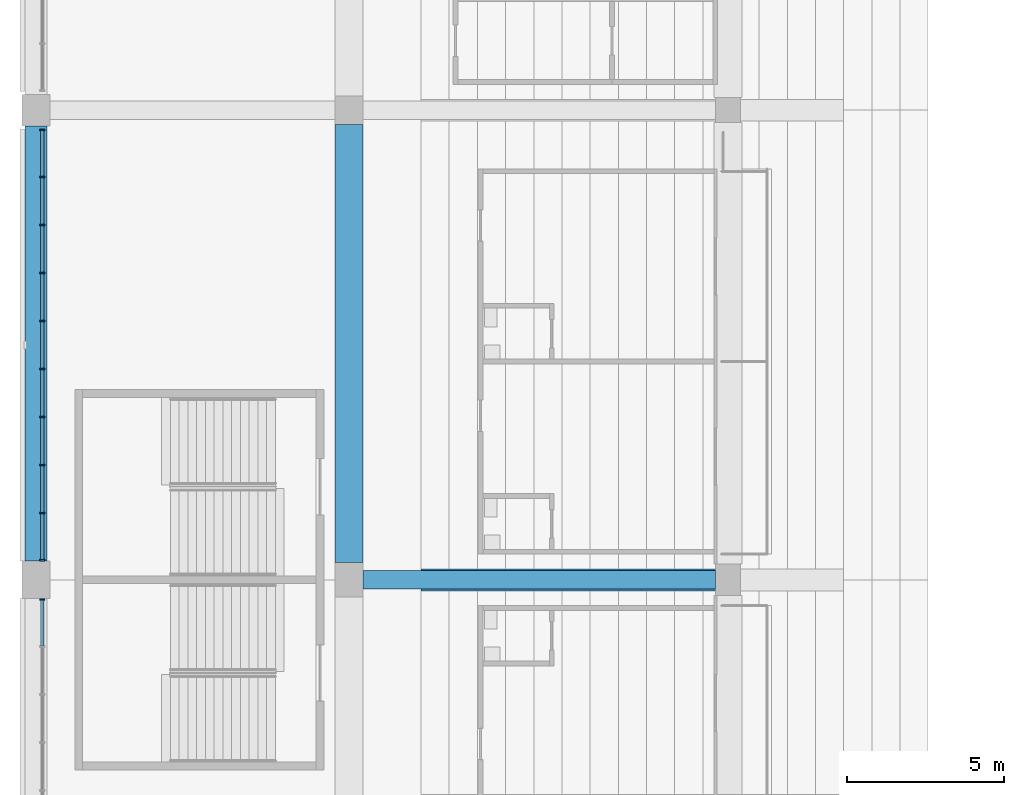
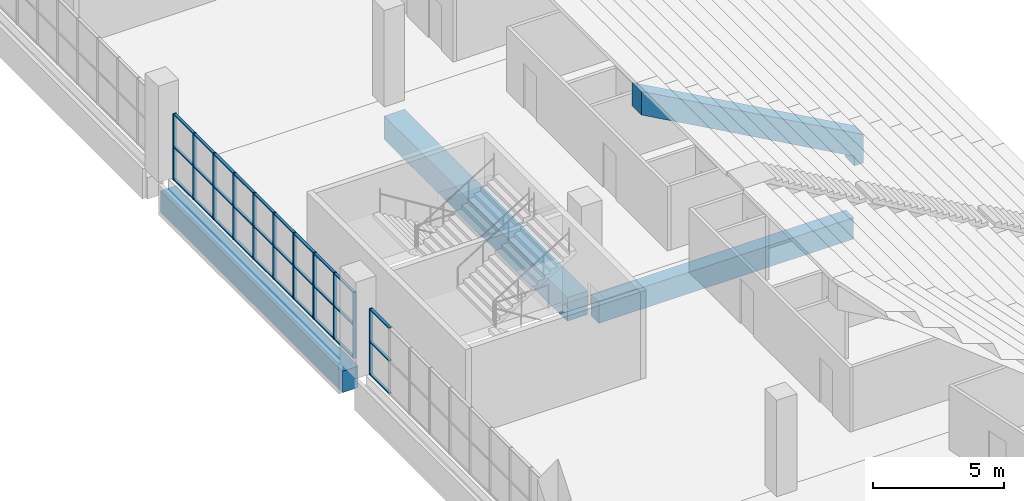
# One storey, part 18 of 249: 41 members, 4 beams, 2 elements without a shape of their own.
"""IFC4 building model written with IfcOpenShell, lengths in metres."""

import ifcopenshell
import ifcopenshell.guid

model = None  # the IFC model being written
_history = None  # IfcOwnerHistory: only IFC2X3 demands one
_inside = {}  # id of a spatial element -> (the spatial element, [elements in it])
_under = {}  # id of a project, library or spatial element -> (it, [spatial elements below it])
_declared = {}  # id of a project -> (the project, [libraries it declares])
_typed = {}  # id of a type object -> (the type object, [elements of that type])
_made_of = {}  # id of a material, layer set ... -> (it, [elements and type objects made of it])


def new_model(schema):
    """Start an empty IFC model of exactly this schema.

    Asked for "IFC4X3", IfcOpenShell would pick the latest addendum, in which some entities
    have other attributes; the version numbers below select the first issue.
    IFC2X3 requires an IfcOwnerHistory on every rooted entity: one is made here for all.
    """
    global model, _history
    if schema == "IFC4X3":
        model = ifcopenshell.file(schema_version=(4, 3, 0, 0))
    else:
        model = ifcopenshell.file(schema=schema)
    _inside.clear()
    _under.clear()
    _declared.clear()
    _typed.clear()
    _made_of.clear()
    _history = None
    if model.schema == "IFC2X3":
        org = make("IfcOrganization", Name="unknown")
        user = make(
            "IfcPersonAndOrganization",
            ThePerson=make("IfcPerson", FamilyName="unknown"),
            TheOrganization=org,
        )
        app = make(
            "IfcApplication",
            ApplicationDeveloper=org,
            Version="unknown",
            ApplicationFullName="unknown",
            ApplicationIdentifier="unknown",
        )
        _history = make(
            "IfcOwnerHistory",
            OwningUser=user,
            OwningApplication=app,
            ChangeAction="ADDED",
            CreationDate=0,
        )
    return model


def make(cls, **values):
    """One entity of the class cls with the attributes given. An attribute that is None is left unset."""
    return model.create_entity(
        cls, **{name: value for name, value in values.items() if value is not None}
    )


def rooted(cls, **values):
    """An entity with a GlobalId (a new one), such as an element, a storey or a relation."""
    return make(cls, GlobalId=ifcopenshell.guid.new(), OwnerHistory=_history, **values)


def si_unit(unit_type, name, prefix=None):
    """IfcSIUnit, for example si_unit("LENGTHUNIT", "METRE", prefix="MILLI")."""
    return make("IfcSIUnit", UnitType=unit_type, Prefix=prefix, Name=name)


def assignment(units):
    """IfcUnitAssignment: the units of a project."""
    return None if units is None else make("IfcUnitAssignment", Units=units)


def point(xyz):
    """IfcCartesianPoint."""
    return None if xyz is None else make("IfcCartesianPoint", Coordinates=xyz)


def direction(xyz):
    """IfcDirection."""
    return None if xyz is None else make("IfcDirection", DirectionRatios=xyz)


def frame(location, z_axis=None, x_axis=None):
    """IfcAxis2Placement3D, a coordinate frame: its origin and axes. An axis left out is left unset."""
    return make(
        "IfcAxis2Placement3D",
        Location=point(location),
        Axis=direction(z_axis),
        RefDirection=direction(x_axis),
    )


def frame_2d(location, x_axis=None):
    """IfcAxis2Placement2D, a coordinate frame in the plane: its origin and x axis."""
    return make(
        "IfcAxis2Placement2D", Location=point(location), RefDirection=direction(x_axis)
    )


def origin():
    """The frame at (0, 0, 0) with its axes left unset."""
    return frame((0.0, 0.0, 0.0))


def origin_2d():
    """The frame at (0, 0) in the plane with its x axis left unset."""
    return frame_2d((0.0, 0.0))


def place(relative_to, where):
    """IfcLocalPlacement: puts the frame where relative to a parent placement (None: the world)."""
    return make(
        "IfcLocalPlacement", PlacementRelTo=relative_to, RelativePlacement=where
    )


def context(
    kind, dimensions, precision=None, world=None, true_north=None, identifier=None
):
    """IfcGeometricRepresentationContext, for example the 3D "Model" context."""
    return make(
        "IfcGeometricRepresentationContext",
        ContextIdentifier=identifier,
        ContextType=kind,
        CoordinateSpaceDimension=dimensions,
        Precision=precision,
        WorldCoordinateSystem=world,
        TrueNorth=true_north,
    )


def subcontext(parent, identifier, kind, view, scale=None):
    """IfcGeometricRepresentationSubContext, for example "Body" below "Model"."""
    return make(
        "IfcGeometricRepresentationSubContext",
        ContextIdentifier=identifier,
        ContextType=kind,
        ParentContext=parent,
        TargetScale=scale,
        TargetView=view,
    )


def project(units=None, contexts=None):
    """IfcProject with its units and contexts."""
    return rooted(
        "IfcProject",
        Name="project",
        RepresentationContexts=contexts,
        UnitsInContext=assignment(units),
    )


def spatial(cls, under=None, at=None, **own):
    """A site, building, storey or space (cls), placed at a placement, below another one or the project."""
    s = rooted(cls, ObjectPlacement=at, **own)
    if under is not None:
        _under.setdefault(under.id(), (under, []))[1].append(s)
    return s


def polyline(points):
    """IfcPolyline through the points."""
    return make("IfcPolyline", Points=[point(p) for p in points])


def profile(cls, at=None, kind="AREA", **sizes):
    """A parametric profile (cls). Its sizes go by their IFC names, for example OverallWidth=200.0."""
    return make(cls, ProfileType=kind, Position=at, **sizes)


def rectangle(**sizes):
    """IfcRectangleProfileDef."""
    return profile("IfcRectangleProfileDef", **sizes)


def outline(outer, holes=None, kind="AREA"):
    """IfcArbitraryClosedProfileDef: a profile drawn as a closed curve; with holes, ...WithVoids."""
    if holes is None:
        return make("IfcArbitraryClosedProfileDef", ProfileType=kind, OuterCurve=outer)
    return make(
        "IfcArbitraryProfileDefWithVoids",
        ProfileType=kind,
        OuterCurve=outer,
        InnerCurves=holes,
    )


def extrude(swept, where, along, depth):
    """IfcExtrudedAreaSolid: the profile swept, set in the frame where, extruded along a direction by depth."""
    return make(
        "IfcExtrudedAreaSolid",
        SweptArea=swept,
        Position=where,
        ExtrudedDirection=direction(along),
        Depth=depth,
    )


def shape(context_of_items, identifier, shape_type, items):
    """IfcShapeRepresentation: the items that make up one representation, for example the "Body"."""
    return make(
        "IfcShapeRepresentation",
        ContextOfItems=context_of_items,
        RepresentationIdentifier=identifier,
        RepresentationType=shape_type,
        Items=items,
    )


def material(Name=None, Category=None):
    """IfcMaterial."""
    return make("IfcMaterial", Name=Name, Category=Category)


def material_profile(
    of_material, cross_section, Name=None, Category=None, Priority=None
):
    """IfcMaterialProfile: a cross section and its material."""
    return make(
        "IfcMaterialProfile",
        Name=Name,
        Material=of_material,
        Profile=cross_section,
        Priority=Priority,
        Category=Category,
    )


def profile_set(profiles, Name=None, composite=None):
    """IfcMaterialProfileSet."""
    return make(
        "IfcMaterialProfileSet",
        Name=Name,
        MaterialProfiles=profiles,
        CompositeProfile=composite,
    )


def made_of(thing, what):
    """Note that an element or type object is made of a material, layer set ...; save() writes the relation."""
    if what is not None:
        _made_of.setdefault(what.id(), (what, []))[1].append(thing)
    return thing


def type_object(cls, material=None, **own):
    """A type object (cls), such as IfcWallType, which elements share."""
    return made_of(rooted(cls, **own), material)


def element(
    cls,
    number,
    at=None,
    inside=None,
    cuts=None,
    type_object=None,
    material=None,
    context=None,
    identifier="Body",
    shape_type=None,
    held_by="IfcProductDefinitionShape",
    body=None,
    shapes=None,
    **own,
):
    """One element of the class cls, such as IfcWall. Its Tag is "e" and its number.

    at: its placement. inside: the storey or other place that contains it. cuts: it is an
    opening in that element (IfcRelVoidsElement). A single representation is given by context,
    identifier, shape_type and body (its items); several are given by shapes. held_by: the class
    of the entity that holds the representations. save() writes the other relations.
    """
    e = rooted(cls, Tag="e%d" % number, ObjectPlacement=at, **own)
    if body is not None:
        shapes = [shape(context, identifier, shape_type, body)]
    if shapes is not None:
        e.Representation = make(held_by, Representations=shapes)
    if inside is not None:
        _inside.setdefault(inside.id(), (inside, []))[1].append(e)
    if cuts is not None:
        rooted(
            "IfcRelVoidsElement", RelatingBuildingElement=cuts, RelatedOpeningElement=e
        )
    if type_object is not None:
        _typed.setdefault(type_object.id(), (type_object, []))[1].append(e)
    return made_of(e, material)


def aggregate(whole, parts):
    """IfcRelAggregates: a whole, such as a stair, and the parts it consists of."""
    return rooted("IfcRelAggregates", RelatingObject=whole, RelatedObjects=parts)


def save(model, path):
    """Write the relations noted so far, then the file.

    IfcRelAggregates (storeys below a building ...), IfcRelContainedInSpatialStructure (elements
    in a storey), IfcRelDefinesByType, IfcRelAssociatesMaterial and IfcRelDeclares: one each for
    every whole, place, type object, material and project.
    """
    for whole, parts in _under.values():
        aggregate(whole, parts)
    for where, things in _inside.values():
        rooted(
            "IfcRelContainedInSpatialStructure",
            RelatedElements=things,
            RelatingStructure=where,
        )
    for kind, things in _typed.values():
        rooted("IfcRelDefinesByType", RelatedObjects=things, RelatingType=kind)
    for what, things in _made_of.values():
        rooted("IfcRelAssociatesMaterial", RelatedObjects=things, RelatingMaterial=what)
    for by, libraries in _declared.values():
        rooted("IfcRelDeclares", RelatingContext=by, RelatedDefinitions=libraries)
    model.write(path)


model = new_model("IFC4")

# Units and contexts
model_context = context("Model", 3, precision=1e-05, world=origin(), true_north=direction((0.0, 1.0)))
body_context = subcontext(model_context, "Body", "Model", "MODEL_VIEW")
ifc_project = project(units=[si_unit("LENGTHUNIT", "METRE"), si_unit("AREAUNIT", "SQUARE_METRE"), si_unit("VOLUMEUNIT", "CUBIC_METRE"), si_unit("PLANEANGLEUNIT", "RADIAN"), si_unit("MASSUNIT", "GRAM", prefix="KILO")], contexts=[model_context])

# Site, building, storey
site_placement = place(None, origin())
site = spatial("IfcSite", under=ifc_project, at=site_placement, CompositionType="ELEMENT")
building_placement = place(site_placement, origin())
building = spatial("IfcBuilding", under=site, at=building_placement, Name="Ogive Plaza Stadium", CompositionType="ELEMENT")
storey_placement = place(building_placement, frame((0.0, 0.0, 13.5)))
storey = spatial("IfcBuildingStorey", under=building, at=storey_placement, Name="L03", CompositionType="ELEMENT", Elevation=13.5)

# Curtain wall, member
ifc_material_1 = material(Name="Bronze-anodised aluminium with laminated glass", Category="aluminium")
curtain_wall_type = type_object("IfcCurtainWallType", Name="Lancet curtain wall", PredefinedType="NOTDEFINED", material=ifc_material_1)
curtain_wall_1_placement = place(storey_placement, origin())
curtain_wall_1 = element("IfcCurtainWall", 1, at=curtain_wall_1_placement, inside=storey, type_object=curtain_wall_type, Name="CURTAIN WALL B21 L03", PredefinedType="NOTDEFINED")
ifc_material_2 = material(Name="Bronze-anodised aluminium", Category="aluminium")
ifc_material_profile_1 = material_profile(ifc_material_2, rectangle(XDim=0.14990234375, YDim=0.050048828125, at=origin_2d()), Name="AL 150x50")
ifc_profile_set_1 = profile_set([ifc_material_profile_1], Name="Bronze-anodised aluminium")
member_type_1 = type_object("IfcMemberType", Name="Curtain wall mullion 50x150", PredefinedType="MULLION", material=ifc_profile_set_1)
member_1_placement = place(storey_placement, frame((-83.800048828125, -38.125, 0.0), z_axis=(0.0, 0.0, 1.0), x_axis=(-1.0, 0.0, 0.0)))
member_1 = element("IfcMember", 2, at=member_1_placement, type_object=member_type_1, Name="CW-B21-L03 mullion 10", PredefinedType="MULLION", context=body_context, shape_type="SweptSolid", body=[
    extrude(rectangle(XDim=0.14990234375, YDim=0.050048828125, at=origin_2d()), origin(), (0.0, 0.0, 1.0), 3.090087890625),
])

# Curtain wall, members
curtain_wall_2_placement = place(storey_placement, origin())
curtain_wall_2 = element("IfcCurtainWall", 3, at=curtain_wall_2_placement, inside=storey, type_object=curtain_wall_type, Name="CURTAIN WALL B22 L03", PredefinedType="NOTDEFINED")
member_2_placement = place(storey_placement, frame((-83.800048828125, -36.875, 0.0), z_axis=(0.0, 0.0, 1.0), x_axis=(-1.0, 0.0, 0.0)))
member_2 = element("IfcMember", 4, at=member_2_placement, type_object=member_type_1, Name="CW-B22-L03 mullion 1", PredefinedType="MULLION", context=body_context, shape_type="SweptSolid", body=[
    extrude(rectangle(XDim=0.14990234375, YDim=0.050048828125, at=origin_2d()), origin(), (0.0, 0.0, 1.0), 3.090087890625),
])
member_3_placement = place(storey_placement, frame((-83.800048828125, -35.36669921875, 0.0), z_axis=(0.0, 0.0, 1.0), x_axis=(-1.0, 0.0, 0.0)))
member_3 = element("IfcMember", 5, at=member_3_placement, type_object=member_type_1, Name="CW-B22-L03 mullion 2", PredefinedType="MULLION", context=body_context, shape_type="SweptSolid", body=[
    extrude(rectangle(XDim=0.14990234375, YDim=0.050048828125, at=origin_2d()), origin(), (0.0, 0.0, 1.0), 3.090087890625),
])
member_4_placement = place(storey_placement, frame((-83.800048828125, -33.833251953125, 0.0), z_axis=(0.0, 0.0, 1.0), x_axis=(-1.0, 0.0, 0.0)))
member_4 = element("IfcMember", 6, at=member_4_placement, type_object=member_type_1, Name="CW-B22-L03 mullion 3", PredefinedType="MULLION", context=body_context, shape_type="SweptSolid", body=[
    extrude(rectangle(XDim=0.14990234375, YDim=0.050048828125, at=origin_2d()), origin(), (0.0, 0.0, 1.0), 3.090087890625),
])
member_5_placement = place(storey_placement, frame((-83.800048828125, -32.300048828125, 0.0), z_axis=(0.0, 0.0, 1.0), x_axis=(-1.0, 0.0, 0.0)))
member_5 = element("IfcMember", 7, at=member_5_placement, type_object=member_type_1, Name="CW-B22-L03 mullion 4", PredefinedType="MULLION", context=body_context, shape_type="SweptSolid", body=[
    extrude(rectangle(XDim=0.14990234375, YDim=0.050048828125, at=origin_2d()), origin(), (0.0, 0.0, 1.0), 3.090087890625),
])
member_6_placement = place(storey_placement, frame((-83.800048828125, -30.7666015625, 0.0), z_axis=(0.0, 0.0, 1.0), x_axis=(-1.0, 0.0, 0.0)))
member_6 = element("IfcMember", 8, at=member_6_placement, type_object=member_type_1, Name="CW-B22-L03 mullion 5", PredefinedType="MULLION", context=body_context, shape_type="SweptSolid", body=[
    extrude(rectangle(XDim=0.14990234375, YDim=0.050048828125, at=origin_2d()), origin(), (0.0, 0.0, 1.0), 3.090087890625),
])
member_7_placement = place(storey_placement, frame((-83.800048828125, -29.2333984375, 0.0), z_axis=(0.0, 0.0, 1.0), x_axis=(-1.0, 0.0, 0.0)))
member_7 = element("IfcMember", 9, at=member_7_placement, type_object=member_type_1, Name="CW-B22-L03 mullion 6", PredefinedType="MULLION", context=body_context, shape_type="SweptSolid", body=[
    extrude(rectangle(XDim=0.14990234375, YDim=0.050048828125, at=origin_2d()), origin(), (0.0, 0.0, 1.0), 3.090087890625),
])
member_8_placement = place(storey_placement, frame((-83.800048828125, -27.699951171875, 0.0), z_axis=(0.0, 0.0, 1.0), x_axis=(-1.0, 0.0, 0.0)))
member_8 = element("IfcMember", 10, at=member_8_placement, type_object=member_type_1, Name="CW-B22-L03 mullion 7", PredefinedType="MULLION", context=body_context, shape_type="SweptSolid", body=[
    extrude(rectangle(XDim=0.14990234375, YDim=0.050048828125, at=origin_2d()), origin(), (0.0, 0.0, 1.0), 3.090087890625),
])
member_9_placement = place(storey_placement, frame((-83.800048828125, -26.166748046875, 0.0), z_axis=(0.0, 0.0, 1.0), x_axis=(-1.0, 0.0, 0.0)))
member_9 = element("IfcMember", 11, at=member_9_placement, type_object=member_type_1, Name="CW-B22-L03 mullion 8", PredefinedType="MULLION", context=body_context, shape_type="SweptSolid", body=[
    extrude(rectangle(XDim=0.14990234375, YDim=0.050048828125, at=origin_2d()), origin(), (0.0, 0.0, 1.0), 3.090087890625),
])
member_10_placement = place(storey_placement, frame((-83.800048828125, -24.63330078125, 0.0), z_axis=(0.0, 0.0, 1.0), x_axis=(-1.0, 0.0, 0.0)))
member_10 = element("IfcMember", 12, at=member_10_placement, type_object=member_type_1, Name="CW-B22-L03 mullion 9", PredefinedType="MULLION", context=body_context, shape_type="SweptSolid", body=[
    extrude(rectangle(XDim=0.14990234375, YDim=0.050048828125, at=origin_2d()), origin(), (0.0, 0.0, 1.0), 3.090087890625),
])
member_11_placement = place(storey_placement, frame((-83.800048828125, -23.125, 0.0), z_axis=(0.0, 0.0, 1.0), x_axis=(-1.0, 0.0, 0.0)))
member_11 = element("IfcMember", 13, at=member_11_placement, type_object=member_type_1, Name="CW-B22-L03 mullion 10", PredefinedType="MULLION", context=body_context, shape_type="SweptSolid", body=[
    extrude(rectangle(XDim=0.14990234375, YDim=0.050048828125, at=origin_2d()), origin(), (0.0, 0.0, 1.0), 3.090087890625),
])

# Member
ifc_material_3 = material(Name="Bronze-anodised aluminium", Category="aluminium")
ifc_material_profile_2 = material_profile(ifc_material_3, rectangle(XDim=0.1201171875, YDim=0.050048828125, at=origin_2d()), Name="AL 120x50")
ifc_profile_set_2 = profile_set([ifc_material_profile_2], Name="Bronze-anodised aluminium")
member_type_2 = type_object("IfcMemberType", Name="Curtain wall transom 50x120", PredefinedType="USERDEFINED", material=ifc_profile_set_2)
member_12_placement = place(storey_placement, frame((-83.800048828125, -39.6083984375, 0.02490234375), z_axis=(0.0, 1.0, 0.0), x_axis=(-1.0, 0.0, 0.0)))
member_12 = element("IfcMember", 14, at=member_12_placement, type_object=member_type_2, Name="CW-B21-L03 transom 9.1", ObjectType="TRANSOM", PredefinedType="USERDEFINED", context=body_context, shape_type="SweptSolid", body=[
    extrude(rectangle(XDim=0.1201171875, YDim=0.050048828125, at=origin_2d()), origin(), (0.0, 0.0, 1.0), 1.45849609375),
])

member_13_placement = place(storey_placement, frame((-83.800048828125, -39.6083984375, 1.544921875), z_axis=(0.0, 1.0, 0.0), x_axis=(-1.0, 0.0, 0.0)))
member_13 = element("IfcMember", 15, at=member_13_placement, type_object=member_type_2, Name="CW-B21-L03 transom 9.2", ObjectType="TRANSOM", PredefinedType="USERDEFINED", context=body_context, shape_type="SweptSolid", body=[
    extrude(rectangle(XDim=0.1201171875, YDim=0.050048828125, at=origin_2d()), origin(), (0.0, 0.0, 1.0), 1.45849609375),
])

member_14_placement = place(storey_placement, frame((-83.800048828125, -39.6083984375, 3.06494140625), z_axis=(0.0, 1.0, 0.0), x_axis=(-1.0, 0.0, 0.0)))
member_14 = element("IfcMember", 16, at=member_14_placement, type_object=member_type_2, Name="CW-B21-L03 transom 9.3", ObjectType="TRANSOM", PredefinedType="USERDEFINED", context=body_context, shape_type="SweptSolid", body=[
    extrude(rectangle(XDim=0.1201171875, YDim=0.050048828125, at=origin_2d()), origin(), (0.0, 0.0, 1.0), 1.45849609375),
])

aggregate(curtain_wall_1, [member_1, member_12, member_13, member_14])

member_15_placement = place(storey_placement, frame((-83.800048828125, -36.85009765625, 0.02490234375), z_axis=(0.0, 1.0, 0.0), x_axis=(-1.0, 0.0, 0.0)))
member_15 = element("IfcMember", 17, at=member_15_placement, type_object=member_type_2, Name="CW-B22-L03 transom 1.1", ObjectType="TRANSOM", PredefinedType="USERDEFINED", context=body_context, shape_type="SweptSolid", body=[
    extrude(rectangle(XDim=0.1201171875, YDim=0.050048828125, at=origin_2d()), origin(), (0.0, 0.0, 1.0), 1.45849609375),
])

member_16_placement = place(storey_placement, frame((-83.800048828125, -36.85009765625, 1.544921875), z_axis=(0.0, 1.0, 0.0), x_axis=(-1.0, 0.0, 0.0)))
member_16 = element("IfcMember", 18, at=member_16_placement, type_object=member_type_2, Name="CW-B22-L03 transom 1.2", ObjectType="TRANSOM", PredefinedType="USERDEFINED", context=body_context, shape_type="SweptSolid", body=[
    extrude(rectangle(XDim=0.1201171875, YDim=0.050048828125, at=origin_2d()), origin(), (0.0, 0.0, 1.0), 1.45849609375),
])

member_17_placement = place(storey_placement, frame((-83.800048828125, -36.85009765625, 3.06494140625), z_axis=(0.0, 1.0, 0.0), x_axis=(-1.0, 0.0, 0.0)))
member_17 = element("IfcMember", 19, at=member_17_placement, type_object=member_type_2, Name="CW-B22-L03 transom 1.3", ObjectType="TRANSOM", PredefinedType="USERDEFINED", context=body_context, shape_type="SweptSolid", body=[
    extrude(rectangle(XDim=0.1201171875, YDim=0.050048828125, at=origin_2d()), origin(), (0.0, 0.0, 1.0), 1.45849609375),
])

member_18_placement = place(storey_placement, frame((-83.800048828125, -35.341552734375, 0.02490234375), z_axis=(0.0, 1.0, 0.0), x_axis=(-1.0, 0.0, 0.0)))
member_18 = element("IfcMember", 20, at=member_18_placement, type_object=member_type_2, Name="CW-B22-L03 transom 2.1", ObjectType="TRANSOM", PredefinedType="USERDEFINED", context=body_context, shape_type="SweptSolid", body=[
    extrude(rectangle(XDim=0.1201171875, YDim=0.050048828125, at=origin_2d()), origin(), (0.0, 0.0, 1.0), 1.483154296875),
])

member_19_placement = place(storey_placement, frame((-83.800048828125, -35.341552734375, 1.544921875), z_axis=(0.0, 1.0, 0.0), x_axis=(-1.0, 0.0, 0.0)))
member_19 = element("IfcMember", 21, at=member_19_placement, type_object=member_type_2, Name="CW-B22-L03 transom 2.2", ObjectType="TRANSOM", PredefinedType="USERDEFINED", context=body_context, shape_type="SweptSolid", body=[
    extrude(rectangle(XDim=0.1201171875, YDim=0.050048828125, at=origin_2d()), origin(), (0.0, 0.0, 1.0), 1.483154296875),
])

member_20_placement = place(storey_placement, frame((-83.800048828125, -35.341552734375, 3.06494140625), z_axis=(0.0, 1.0, 0.0), x_axis=(-1.0, 0.0, 0.0)))
member_20 = element("IfcMember", 22, at=member_20_placement, type_object=member_type_2, Name="CW-B22-L03 transom 2.3", ObjectType="TRANSOM", PredefinedType="USERDEFINED", context=body_context, shape_type="SweptSolid", body=[
    extrude(rectangle(XDim=0.1201171875, YDim=0.050048828125, at=origin_2d()), origin(), (0.0, 0.0, 1.0), 1.483154296875),
])

member_21_placement = place(storey_placement, frame((-83.800048828125, -33.808349609375, 0.02490234375), z_axis=(0.0, 1.0, 0.0), x_axis=(-1.0, 0.0, 0.0)))
member_21 = element("IfcMember", 23, at=member_21_placement, type_object=member_type_2, Name="CW-B22-L03 transom 3.1", ObjectType="TRANSOM", PredefinedType="USERDEFINED", context=body_context, shape_type="SweptSolid", body=[
    extrude(rectangle(XDim=0.1201171875, YDim=0.050048828125, at=origin_2d()), origin(), (0.0, 0.0, 1.0), 1.4833984375),
])

member_22_placement = place(storey_placement, frame((-83.800048828125, -33.808349609375, 1.544921875), z_axis=(0.0, 1.0, 0.0), x_axis=(-1.0, 0.0, 0.0)))
member_22 = element("IfcMember", 24, at=member_22_placement, type_object=member_type_2, Name="CW-B22-L03 transom 3.2", ObjectType="TRANSOM", PredefinedType="USERDEFINED", context=body_context, shape_type="SweptSolid", body=[
    extrude(rectangle(XDim=0.1201171875, YDim=0.050048828125, at=origin_2d()), origin(), (0.0, 0.0, 1.0), 1.4833984375),
])

member_23_placement = place(storey_placement, frame((-83.800048828125, -33.808349609375, 3.06494140625), z_axis=(0.0, 1.0, 0.0), x_axis=(-1.0, 0.0, 0.0)))
member_23 = element("IfcMember", 25, at=member_23_placement, type_object=member_type_2, Name="CW-B22-L03 transom 3.3", ObjectType="TRANSOM", PredefinedType="USERDEFINED", context=body_context, shape_type="SweptSolid", body=[
    extrude(rectangle(XDim=0.1201171875, YDim=0.050048828125, at=origin_2d()), origin(), (0.0, 0.0, 1.0), 1.4833984375),
])

member_24_placement = place(storey_placement, frame((-83.800048828125, -32.27490234375, 0.02490234375), z_axis=(0.0, 1.0, 0.0), x_axis=(-1.0, 0.0, 0.0)))
member_24 = element("IfcMember", 26, at=member_24_placement, type_object=member_type_2, Name="CW-B22-L03 transom 4.1", ObjectType="TRANSOM", PredefinedType="USERDEFINED", context=body_context, shape_type="SweptSolid", body=[
    extrude(rectangle(XDim=0.1201171875, YDim=0.050048828125, at=origin_2d()), origin(), (0.0, 0.0, 1.0), 1.483154296875),
])

member_25_placement = place(storey_placement, frame((-83.800048828125, -32.27490234375, 1.544921875), z_axis=(0.0, 1.0, 0.0), x_axis=(-1.0, 0.0, 0.0)))
member_25 = element("IfcMember", 27, at=member_25_placement, type_object=member_type_2, Name="CW-B22-L03 transom 4.2", ObjectType="TRANSOM", PredefinedType="USERDEFINED", context=body_context, shape_type="SweptSolid", body=[
    extrude(rectangle(XDim=0.1201171875, YDim=0.050048828125, at=origin_2d()), origin(), (0.0, 0.0, 1.0), 1.483154296875),
])

member_26_placement = place(storey_placement, frame((-83.800048828125, -32.27490234375, 3.06494140625), z_axis=(0.0, 1.0, 0.0), x_axis=(-1.0, 0.0, 0.0)))
member_26 = element("IfcMember", 28, at=member_26_placement, type_object=member_type_2, Name="CW-B22-L03 transom 4.3", ObjectType="TRANSOM", PredefinedType="USERDEFINED", context=body_context, shape_type="SweptSolid", body=[
    extrude(rectangle(XDim=0.1201171875, YDim=0.050048828125, at=origin_2d()), origin(), (0.0, 0.0, 1.0), 1.483154296875),
])

member_27_placement = place(storey_placement, frame((-83.800048828125, -30.74169921875, 0.02490234375), z_axis=(0.0, 1.0, 0.0), x_axis=(-1.0, 0.0, 0.0)))
member_27 = element("IfcMember", 29, at=member_27_placement, type_object=member_type_2, Name="CW-B22-L03 transom 5.1", ObjectType="TRANSOM", PredefinedType="USERDEFINED", context=body_context, shape_type="SweptSolid", body=[
    extrude(rectangle(XDim=0.1201171875, YDim=0.050048828125, at=origin_2d()), origin(), (0.0, 0.0, 1.0), 1.4833984375),
])

member_28_placement = place(storey_placement, frame((-83.800048828125, -30.74169921875, 1.544921875), z_axis=(0.0, 1.0, 0.0), x_axis=(-1.0, 0.0, 0.0)))
member_28 = element("IfcMember", 30, at=member_28_placement, type_object=member_type_2, Name="CW-B22-L03 transom 5.2", ObjectType="TRANSOM", PredefinedType="USERDEFINED", context=body_context, shape_type="SweptSolid", body=[
    extrude(rectangle(XDim=0.1201171875, YDim=0.050048828125, at=origin_2d()), origin(), (0.0, 0.0, 1.0), 1.4833984375),
])

member_29_placement = place(storey_placement, frame((-83.800048828125, -30.74169921875, 3.06494140625), z_axis=(0.0, 1.0, 0.0), x_axis=(-1.0, 0.0, 0.0)))
member_29 = element("IfcMember", 31, at=member_29_placement, type_object=member_type_2, Name="CW-B22-L03 transom 5.3", ObjectType="TRANSOM", PredefinedType="USERDEFINED", context=body_context, shape_type="SweptSolid", body=[
    extrude(rectangle(XDim=0.1201171875, YDim=0.050048828125, at=origin_2d()), origin(), (0.0, 0.0, 1.0), 1.4833984375),
])

member_30_placement = place(storey_placement, frame((-83.800048828125, -29.208251953125, 0.02490234375), z_axis=(0.0, 1.0, 0.0), x_axis=(-1.0, 0.0, 0.0)))
member_30 = element("IfcMember", 32, at=member_30_placement, type_object=member_type_2, Name="CW-B22-L03 transom 6.1", ObjectType="TRANSOM", PredefinedType="USERDEFINED", context=body_context, shape_type="SweptSolid", body=[
    extrude(rectangle(XDim=0.1201171875, YDim=0.050048828125, at=origin_2d()), origin(), (0.0, 0.0, 1.0), 1.483154296875),
])

member_31_placement = place(storey_placement, frame((-83.800048828125, -29.208251953125, 1.544921875), z_axis=(0.0, 1.0, 0.0), x_axis=(-1.0, 0.0, 0.0)))
member_31 = element("IfcMember", 33, at=member_31_placement, type_object=member_type_2, Name="CW-B22-L03 transom 6.2", ObjectType="TRANSOM", PredefinedType="USERDEFINED", context=body_context, shape_type="SweptSolid", body=[
    extrude(rectangle(XDim=0.1201171875, YDim=0.050048828125, at=origin_2d()), origin(), (0.0, 0.0, 1.0), 1.483154296875),
])

member_32_placement = place(storey_placement, frame((-83.800048828125, -29.208251953125, 3.06494140625), z_axis=(0.0, 1.0, 0.0), x_axis=(-1.0, 0.0, 0.0)))
member_32 = element("IfcMember", 34, at=member_32_placement, type_object=member_type_2, Name="CW-B22-L03 transom 6.3", ObjectType="TRANSOM", PredefinedType="USERDEFINED", context=body_context, shape_type="SweptSolid", body=[
    extrude(rectangle(XDim=0.1201171875, YDim=0.050048828125, at=origin_2d()), origin(), (0.0, 0.0, 1.0), 1.483154296875),
])

member_33_placement = place(storey_placement, frame((-83.800048828125, -27.675048828125, 0.02490234375), z_axis=(0.0, 1.0, 0.0), x_axis=(-1.0, 0.0, 0.0)))
member_33 = element("IfcMember", 35, at=member_33_placement, type_object=member_type_2, Name="CW-B22-L03 transom 7.1", ObjectType="TRANSOM", PredefinedType="USERDEFINED", context=body_context, shape_type="SweptSolid", body=[
    extrude(rectangle(XDim=0.1201171875, YDim=0.050048828125, at=origin_2d()), origin(), (0.0, 0.0, 1.0), 1.4833984375),
])

member_34_placement = place(storey_placement, frame((-83.800048828125, -27.675048828125, 1.544921875), z_axis=(0.0, 1.0, 0.0), x_axis=(-1.0, 0.0, 0.0)))
member_34 = element("IfcMember", 36, at=member_34_placement, type_object=member_type_2, Name="CW-B22-L03 transom 7.2", ObjectType="TRANSOM", PredefinedType="USERDEFINED", context=body_context, shape_type="SweptSolid", body=[
    extrude(rectangle(XDim=0.1201171875, YDim=0.050048828125, at=origin_2d()), origin(), (0.0, 0.0, 1.0), 1.4833984375),
])

member_35_placement = place(storey_placement, frame((-83.800048828125, -27.675048828125, 3.06494140625), z_axis=(0.0, 1.0, 0.0), x_axis=(-1.0, 0.0, 0.0)))
member_35 = element("IfcMember", 37, at=member_35_placement, type_object=member_type_2, Name="CW-B22-L03 transom 7.3", ObjectType="TRANSOM", PredefinedType="USERDEFINED", context=body_context, shape_type="SweptSolid", body=[
    extrude(rectangle(XDim=0.1201171875, YDim=0.050048828125, at=origin_2d()), origin(), (0.0, 0.0, 1.0), 1.4833984375),
])

member_36_placement = place(storey_placement, frame((-83.800048828125, -26.1416015625, 0.02490234375), z_axis=(0.0, 1.0, 0.0), x_axis=(-1.0, 0.0, 0.0)))
member_36 = element("IfcMember", 38, at=member_36_placement, type_object=member_type_2, Name="CW-B22-L03 transom 8.1", ObjectType="TRANSOM", PredefinedType="USERDEFINED", context=body_context, shape_type="SweptSolid", body=[
    extrude(rectangle(XDim=0.1201171875, YDim=0.050048828125, at=origin_2d()), origin(), (0.0, 0.0, 1.0), 1.483154296875),
])

member_37_placement = place(storey_placement, frame((-83.800048828125, -26.1416015625, 1.544921875), z_axis=(0.0, 1.0, 0.0), x_axis=(-1.0, 0.0, 0.0)))
member_37 = element("IfcMember", 39, at=member_37_placement, type_object=member_type_2, Name="CW-B22-L03 transom 8.2", ObjectType="TRANSOM", PredefinedType="USERDEFINED", context=body_context, shape_type="SweptSolid", body=[
    extrude(rectangle(XDim=0.1201171875, YDim=0.050048828125, at=origin_2d()), origin(), (0.0, 0.0, 1.0), 1.483154296875),
])

member_38_placement = place(storey_placement, frame((-83.800048828125, -26.1416015625, 3.06494140625), z_axis=(0.0, 1.0, 0.0), x_axis=(-1.0, 0.0, 0.0)))
member_38 = element("IfcMember", 40, at=member_38_placement, type_object=member_type_2, Name="CW-B22-L03 transom 8.3", ObjectType="TRANSOM", PredefinedType="USERDEFINED", context=body_context, shape_type="SweptSolid", body=[
    extrude(rectangle(XDim=0.1201171875, YDim=0.050048828125, at=origin_2d()), origin(), (0.0, 0.0, 1.0), 1.483154296875),
])

member_39_placement = place(storey_placement, frame((-83.800048828125, -24.6083984375, 0.02490234375), z_axis=(0.0, 1.0, 0.0), x_axis=(-1.0, 0.0, 0.0)))
member_39 = element("IfcMember", 41, at=member_39_placement, type_object=member_type_2, Name="CW-B22-L03 transom 9.1", ObjectType="TRANSOM", PredefinedType="USERDEFINED", context=body_context, shape_type="SweptSolid", body=[
    extrude(rectangle(XDim=0.1201171875, YDim=0.050048828125, at=origin_2d()), origin(), (0.0, 0.0, 1.0), 1.45849609375),
])

member_40_placement = place(storey_placement, frame((-83.800048828125, -24.6083984375, 1.544921875), z_axis=(0.0, 1.0, 0.0), x_axis=(-1.0, 0.0, 0.0)))
member_40 = element("IfcMember", 42, at=member_40_placement, type_object=member_type_2, Name="CW-B22-L03 transom 9.2", ObjectType="TRANSOM", PredefinedType="USERDEFINED", context=body_context, shape_type="SweptSolid", body=[
    extrude(rectangle(XDim=0.1201171875, YDim=0.050048828125, at=origin_2d()), origin(), (0.0, 0.0, 1.0), 1.45849609375),
])

member_41_placement = place(storey_placement, frame((-83.800048828125, -24.6083984375, 3.06494140625), z_axis=(0.0, 1.0, 0.0), x_axis=(-1.0, 0.0, 0.0)))
member_41 = element("IfcMember", 43, at=member_41_placement, type_object=member_type_2, Name="CW-B22-L03 transom 9.3", ObjectType="TRANSOM", PredefinedType="USERDEFINED", context=body_context, shape_type="SweptSolid", body=[
    extrude(rectangle(XDim=0.1201171875, YDim=0.050048828125, at=origin_2d()), origin(), (0.0, 0.0, 1.0), 1.45849609375),
])

aggregate(curtain_wall_2, [member_2, member_3, member_4, member_5, member_6, member_7, member_8, member_9, member_10, member_11, member_15, member_16, member_17, member_18, member_19, member_20, member_21, member_22, member_23, member_24, member_25, member_26, member_27, member_28, member_29, member_30, member_31, member_32, member_33, member_34, member_35, member_36, member_37, member_38, member_39, member_40, member_41])

# Beams
ifc_material_4 = material(Name="Concrete C45/55 precast", Category="concrete")
ifc_material_profile_3 = material_profile(ifc_material_4, rectangle(XDim=0.699951171875, YDim=1.10009765625, at=origin_2d()), Name="RC 700x1100")
ifc_profile_set_3 = profile_set([ifc_material_profile_3], Name="Concrete C45/55 precast")
beam_type_1 = type_object("IfcBeamType", Name="Precast raker UT back-span 700x1100", PredefinedType="USERDEFINED", material=ifc_profile_set_3)
beam_1_placement = place(storey_placement, frame((-34.0, -37.5, -13.5), z_axis=(0.0, 0.0, 1.0), x_axis=(-1.0, 0.0, 0.0)))
element("IfcBeam", 44, at=beam_1_placement, inside=storey, type_object=beam_type_1, Name="RAKER UT BACK-SPAN R22", ObjectType="RAKER", PredefinedType="USERDEFINED", context=body_context, shape_type="SweptSolid", body=[
    extrude(outline(polyline([(27.89990234375, 15.533203125), (28.300048828125, 15.533203125), (28.300048828125, 15.977783203125), (37.699951171875, 21.199951171875), (37.699951171875, 22.300048828125), (27.89990234375, 16.855712890625), (27.89990234375, 15.533203125)])), frame((0.0, 0.35009765625, 0.0), z_axis=(0.0, -1.0, 0.0), x_axis=(1.0, 0.0, 0.0)), (0.0, 0.0, 1.0), 0.699951171875),
])
ifc_material_5 = material(Name="Concrete C40/50", Category="concrete")
ifc_material_profile_4 = material_profile(ifc_material_5, rectangle(XDim=0.60009765625, YDim=1.0, at=origin_2d()), Name="RC 600x1000")
ifc_profile_set_4 = profile_set([ifc_material_profile_4], Name="Concrete C40/50")
beam_type_2 = type_object("IfcBeamType", Name="RC radial beam 600x1000", PredefinedType="BEAM", material=ifc_profile_set_4)
beam_2_placement = place(storey_placement, frame((-62.300048828125, -37.5, -0.909912109375), z_axis=(-1.0, 0.0, 0.0), x_axis=(0.0, -1.0, 0.0)))
element("IfcBeam", 45, at=beam_2_placement, inside=storey, type_object=beam_type_2, Name="Radial beam L03 R22 F3F4", PredefinedType="BEAM", context=body_context, shape_type="SweptSolid", body=[
    extrude(rectangle(XDim=0.60009765625, YDim=1.0, at=origin_2d()), origin(), (0.0, 0.0, 1.0), 11.25),
])
ifc_material_6 = material(Name="Concrete C40/50", Category="concrete")
ifc_material_profile_5 = material_profile(ifc_material_6, rectangle(XDim=0.89990234375, YDim=1.10009765625, at=origin_2d()), Name="RC 900x1100")
ifc_profile_set_5 = profile_set([ifc_material_profile_5], Name="Concrete C40/50")
beam_type_3 = type_object("IfcBeamType", Name="RC ring beam 900x1100", PredefinedType="BEAM", material=ifc_profile_set_5)
beam_3_placement = place(storey_placement, frame((-74.0, -36.949951171875, -0.9599609375), z_axis=(0.0, 1.0, 0.0), x_axis=(-1.0, 0.0, 0.0)))
element("IfcBeam", 46, at=beam_3_placement, inside=storey, type_object=beam_type_3, Name="Ring beam F4 L03 B22", PredefinedType="BEAM", context=body_context, shape_type="SweptSolid", body=[
    extrude(rectangle(XDim=0.89990234375, YDim=1.10009765625, at=origin_2d()), origin(), (0.0, 0.0, 1.0), 14.0),
])
ifc_material_7 = material(Name="Concrete C40/50", Category="concrete")
ifc_material_profile_6 = material_profile(ifc_material_7, rectangle(XDim=0.699951171875, YDim=1.0, at=origin_2d()), Name="RC 700x1000")
ifc_profile_set_6 = profile_set([ifc_material_profile_6], Name="Concrete C40/50")
beam_type_4 = type_object("IfcBeamType", Name="RC spandrel beam 700x1000", PredefinedType="SPANDREL", material=ifc_profile_set_6)
beam_4_placement = place(storey_placement, frame((-84.0, -36.89990234375, -0.909912109375), z_axis=(0.0, 1.0, 0.0), x_axis=(-1.0, 0.0, 0.0)))
element("IfcBeam", 47, at=beam_4_placement, inside=storey, type_object=beam_type_4, Name="Ring beam F5 L03 B22", PredefinedType="SPANDREL", context=body_context, shape_type="SweptSolid", body=[
    extrude(rectangle(XDim=0.699951171875, YDim=1.0, at=origin_2d()), origin(), (0.0, 0.0, 1.0), 13.89990234375),
])

save(model, "model.ifc")
